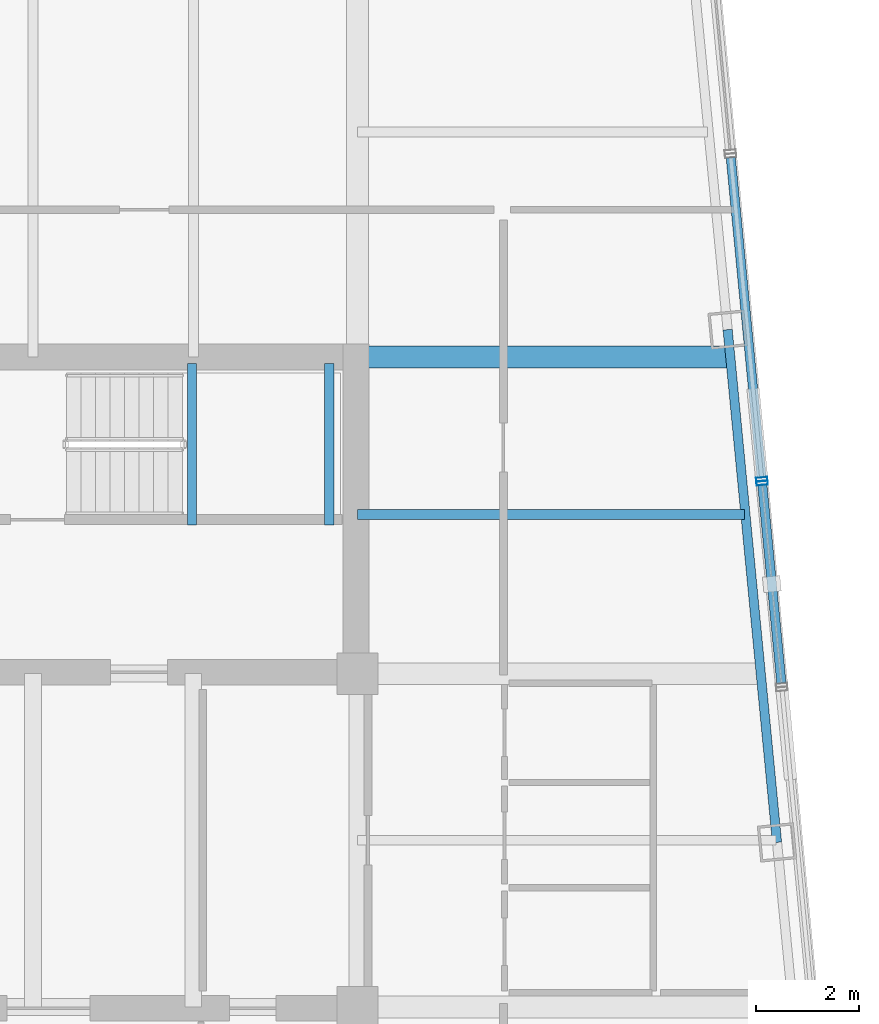
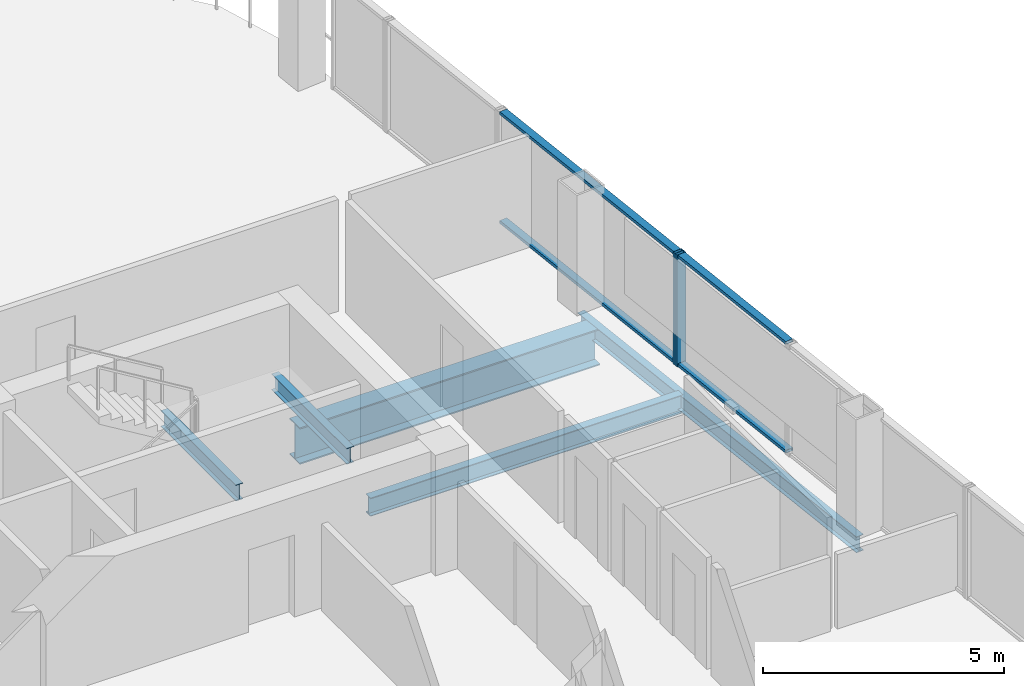
# One storey, part 11 of 21: 6 members, 5 beams, 2 elements without a shape of their own.
"""IFC4 building model written with IfcOpenShell, lengths in metres."""

from ifc_helpers import new_model, si_unit, direction, frame, origin, origin_2d, place, context, subcontext, project, spatial, hollow_rectangle, i_section, extrude, material, layer, layer_set, material_profile, profile_set, type_object, element, aggregate, save


model = new_model("IFC4")

# Units and contexts
model_context = context("Model", 3, precision=1e-05, world=origin(), true_north=direction((0.0, 1.0)))
body_context = subcontext(model_context, "Body", "Model", "MODEL_VIEW")
ifc_project = project(units=[si_unit("LENGTHUNIT", "METRE"), si_unit("AREAUNIT", "SQUARE_METRE"), si_unit("VOLUMEUNIT", "CUBIC_METRE"), si_unit("PLANEANGLEUNIT", "RADIAN"), si_unit("MASSUNIT", "GRAM", prefix="KILO")], contexts=[model_context])

# Site, building, storey
site_placement = place(None, origin())
site = spatial("IfcSite", under=ifc_project, at=site_placement, CompositionType="ELEMENT")
building_placement = place(site_placement, origin())
building = spatial("IfcBuilding", under=site, at=building_placement, Name="Qhalaya Broadcast Tower", CompositionType="ELEMENT")
storey_placement = place(building_placement, frame((0.0, 0.0, 162.25)))
storey = spatial("IfcBuildingStorey", under=building, at=storey_placement, Name="L47", CompositionType="ELEMENT", Elevation=162.25)

# Beams
ifc_material_1 = material(Name="Structural Steel ASTM A992 Grade 50", Category="steel")
ifc_material_profile_1 = material_profile(ifc_material_1, i_section(OverallWidth=0.19189453125, OverallDepth=0.462890625, WebThickness=0.010498046875, FlangeThickness=0.017578125, at=origin_2d()), Name="W18X60")
ifc_profile_set_1 = profile_set([ifc_material_profile_1], Name="Structural Steel ASTM A992 Grade 50")
beam_type_1 = type_object("IfcBeamType", Name="Composite Floor Joist J03", PredefinedType="JOIST", material=ifc_profile_set_1)
beam_1_placement = place(storey_placement, frame((9.375, 6.89990234375, -0.451416015625), z_axis=(1.0, 0.0, 0.0), x_axis=(0.0, 1.0, 0.0)))
element("IfcBeam", 1, at=beam_1_placement, inside=storey, type_object=beam_type_1, Name="L47 J03 L47-JWE5E-1", PredefinedType="JOIST", context=body_context, shape_type="SweptSolid", body=[
    extrude(i_section(OverallWidth=0.19189453125, OverallDepth=0.462890625, WebThickness=0.010498046875, FlangeThickness=0.017578125, at=origin_2d()), origin(), (0.0, 0.0, 1.0), 7.48681640625),
])
ifc_material_profile_2 = material_profile(ifc_material_1, i_section(OverallWidth=0.4189453125, OverallDepth=0.927001953125, WebThickness=0.019287109375, FlangeThickness=0.031982421875, at=origin_2d()), Name="W36X231")
ifc_profile_set_2 = profile_set([ifc_material_profile_2], Name="Structural Steel ASTM A992 Grade 50")
beam_type_2 = type_object("IfcBeamType", Name="Mid Block Primary Girder PG3", PredefinedType="USERDEFINED", material=ifc_profile_set_2)
beam_2_placement = place(storey_placement, frame((9.375, 9.949951171875, -0.68359375), z_axis=(1.0, 0.0, 0.0), x_axis=(0.0, 1.0, 0.0)))
element("IfcBeam", 2, at=beam_2_placement, inside=storey, type_object=beam_type_2, Name="L47 PG3 L47-PGYE4-1", ObjectType="GIRDER", PredefinedType="USERDEFINED", context=body_context, shape_type="SweptSolid", body=[
    extrude(i_section(OverallWidth=0.4189453125, OverallDepth=0.927001953125, WebThickness=0.019287109375, FlangeThickness=0.031982421875, at=origin_2d()), origin(), (0.0, 0.0, 1.0), 7.193115234375),
])

# Curtain wall, member
ifc_material_2 = material(Name="Solar-Control Low-E Triple Glazing", Category="glass")
ifc_layer_1 = layer(ifc_material_2, 0.219970703125, Name="Solar-Control Low-E Triple Glazing")
ifc_layer_set_1 = layer_set([ifc_layer_1], Name="Solar-Control Low-E Triple Glazing")
curtain_wall_type_1 = type_object("IfcCurtainWallType", Name="Even-Block 4-Storey Double-Module Curtain Wall CW-03", PredefinedType="NOTDEFINED", material=ifc_layer_set_1)
curtain_wall_1_placement = place(storey_placement, origin())
curtain_wall_1 = element("IfcCurtainWall", 3, at=curtain_wall_1_placement, inside=storey, type_object=curtain_wall_type_1, Name="L47 Unitised Curtain Wall L47-CW-E4", PredefinedType="NOTDEFINED")
ifc_material_3 = material(Name="Anodised Aluminium 6063-T6", Category="aluminium")
ifc_material_profile_3 = material_profile(ifc_material_3, hollow_rectangle(XDim=0.074951171875, YDim=0.219970703125, WallThickness=0.00390625, at=origin_2d()), Name="ALU-MUL 75x220x4")
ifc_profile_set_3 = profile_set([ifc_material_profile_3], Name="Anodised Aluminium 6063-T6")
member_type_1 = type_object("IfcMemberType", Name="Unitised Curtain-Wall Mullion M01", PredefinedType="MULLION", material=ifc_profile_set_3)
member_1_placement = place(storey_placement, frame((17.205078125, 7.51025390625, 0.0), z_axis=(0.0, 0.0, 1.0), x_axis=(-0.095851433835, 0.995395651302, 0.0)))
member_1 = element("IfcMember", 4, at=member_1_placement, type_object=member_type_1, Name="CW-03 mullion 2", PredefinedType="MULLION", context=body_context, shape_type="SweptSolid", body=[
    extrude(hollow_rectangle(XDim=0.074951171875, YDim=0.219970703125, WallThickness=0.00390625, at=origin_2d()), origin(), (0.0, 0.0, 1.0), 2.830078125),
])

ifc_material_4 = material(Name="Fired Architectural Terracotta", Category="masonry")
ifc_layer_2 = layer(ifc_material_4, 0.219970703125, Name="Fired Architectural Terracotta")
ifc_layer_set_2 = layer_set([ifc_layer_2], Name="Fired Architectural Terracotta")
curtain_wall_type_2 = type_object("IfcCurtainWallType", Name="Block-Cap Unitised Terracotta Spandrel Wall CW-07", PredefinedType="NOTDEFINED", material=ifc_layer_set_2)
curtain_wall_2_placement = place(storey_placement, origin())
curtain_wall_2 = element("IfcCurtainWall", 5, at=curtain_wall_2_placement, inside=storey, type_object=curtain_wall_type_2, Name="L47 Unitised Curtain Wall L47-CW-E5", PredefinedType="NOTDEFINED")
member_2_placement = place(storey_placement, frame((17.19775390625, 7.584716796875, 0.0), z_axis=(0.0, 0.0, 1.0), x_axis=(-0.095853708125, 0.995395432297, 0.0)))
member_2 = element("IfcMember", 6, at=member_2_placement, type_object=member_type_1, Name="CW-07 mullion 1", PredefinedType="MULLION", context=body_context, shape_type="SweptSolid", body=[
    extrude(hollow_rectangle(XDim=0.074951171875, YDim=0.219970703125, WallThickness=0.00390625, at=origin_2d()), origin(), (0.0, 0.0, 1.0), 2.830078125),
])

# Member
ifc_material_profile_4 = material_profile(ifc_material_3, hollow_rectangle(XDim=0.074951171875, YDim=0.179931640625, WallThickness=0.00390625, at=origin_2d()), Name="ALU-TRN 75x180x4")
ifc_profile_set_4 = profile_set([ifc_material_profile_4], Name="Anodised Aluminium 6063-T6")
member_type_2 = type_object("IfcMemberType", Name="Unitised Curtain-Wall Transom T01", PredefinedType="USERDEFINED", material=ifc_profile_set_4)
member_3_placement = place(storey_placement, frame((17.577880859375, 3.638671875, 0.03759765625), z_axis=(-0.09589476636, 0.995391477653, 0.0), x_axis=(0.0, 0.0, 1.0)))
member_3 = element("IfcMember", 7, at=member_3_placement, type_object=member_type_2, Name="CW-03 transom 1.1", ObjectType="TRANSOM", PredefinedType="USERDEFINED", context=body_context, shape_type="SweptSolid", body=[
    extrude(hollow_rectangle(XDim=0.074951171875, YDim=0.179931640625, WallThickness=0.00390625, at=origin_2d()), origin(), (0.0, 0.0, 1.0), 3.85205078125),
])

member_4_placement = place(storey_placement, frame((17.577880859375, 3.638671875, 2.79248046875), z_axis=(-0.09589476636, 0.995391477653, 0.0), x_axis=(0.0, 0.0, 1.0)))
member_4 = element("IfcMember", 8, at=member_4_placement, type_object=member_type_2, Name="CW-03 transom 1.2", ObjectType="TRANSOM", PredefinedType="USERDEFINED", context=body_context, shape_type="SweptSolid", body=[
    extrude(hollow_rectangle(XDim=0.074951171875, YDim=0.179931640625, WallThickness=0.00390625, at=origin_2d()), origin(), (0.0, 0.0, 1.0), 3.85205078125),
])

aggregate(curtain_wall_1, [member_1, member_3, member_4])

member_5_placement = place(storey_placement, frame((17.194091796875, 7.6220703125, 0.03759765625), z_axis=(-0.095850882776, 0.995395704366, 0.0), x_axis=(0.0, 0.0, 1.0)))
member_5 = element("IfcMember", 9, at=member_5_placement, type_object=member_type_2, Name="CW-07 transom 1.1", ObjectType="TRANSOM", PredefinedType="USERDEFINED", context=body_context, shape_type="SweptSolid", body=[
    extrude(hollow_rectangle(XDim=0.074951171875, YDim=0.179931640625, WallThickness=0.00390625, at=origin_2d()), origin(), (0.0, 0.0, 1.0), 6.21484375),
])

member_6_placement = place(storey_placement, frame((17.194091796875, 7.6220703125, 2.79248046875), z_axis=(-0.095850882776, 0.995395704366, 0.0), x_axis=(0.0, 0.0, 1.0)))
member_6 = element("IfcMember", 10, at=member_6_placement, type_object=member_type_2, Name="CW-07 transom 1.2", ObjectType="TRANSOM", PredefinedType="USERDEFINED", context=body_context, shape_type="SweptSolid", body=[
    extrude(hollow_rectangle(XDim=0.074951171875, YDim=0.179931640625, WallThickness=0.00390625, at=origin_2d()), origin(), (0.0, 0.0, 1.0), 6.21484375),
])

aggregate(curtain_wall_2, [member_2, member_5, member_6])

# Beams
ifc_material_profile_5 = material_profile(ifc_material_1, i_section(OverallWidth=0.177978515625, OverallDepth=0.406005859375, WebThickness=0.0078125, FlangeThickness=0.0126953125, at=origin_2d()), Name="W16X40")
ifc_profile_set_5 = profile_set([ifc_material_profile_5], Name="Structural Steel ASTM A992 Grade 50")
beam_type_3 = type_object("IfcBeamType", Name="Upper Perimeter Spandrel Beam SP2", PredefinedType="SPANDREL", material=ifc_profile_set_5)
beam_3_placement = place(storey_placement, frame((17.49267578125, 0.558837890625, -0.423095703125), z_axis=(-0.095852900965, 0.995395510024, 0.0), x_axis=(-0.995395510024, -0.095852900965, 0.0)))
element("IfcBeam", 11, at=beam_3_placement, inside=storey, type_object=beam_type_3, Name="L47 SP2 L47-SPR-06", PredefinedType="SPANDREL", context=body_context, shape_type="SweptSolid", body=[
    extrude(i_section(OverallWidth=0.177978515625, OverallDepth=0.406005859375, WebThickness=0.0078125, FlangeThickness=0.0126953125, at=origin_2d()), origin(), (0.0, 0.0, 1.0), 9.966552734375),
])
for number, where, z_axis, x_axis, name in (
    (12, (6.175048828125, 6.699951171875, 1.1220703125), (0.0, 1.0, 0.0), (-1.0, 0.0, 0.0), "L47 ST-1 Half-Landing Bearer Beam 1"),
    (13, (8.830078125, 6.699951171875, 1.1220703125), (0.0, 1.0, 0.0), (-1.0, 0.0, 0.0), "L47 ST-1 Half-Landing Bearer Beam 2"),
):
    element("IfcBeam", number, at=place(storey_placement, frame(where, z_axis=z_axis, x_axis=x_axis)), inside=storey, type_object=beam_type_3, Name=name, PredefinedType="SPANDREL", context=body_context, shape_type="SweptSolid", body=[
        extrude(i_section(OverallWidth=0.177978515625, OverallDepth=0.406005859375, WebThickness=0.0078125, FlangeThickness=0.0126953125, at=origin_2d()), origin(), (0.0, 0.0, 1.0), 3.1201171875),
    ])

save(model, "model.ifc")
